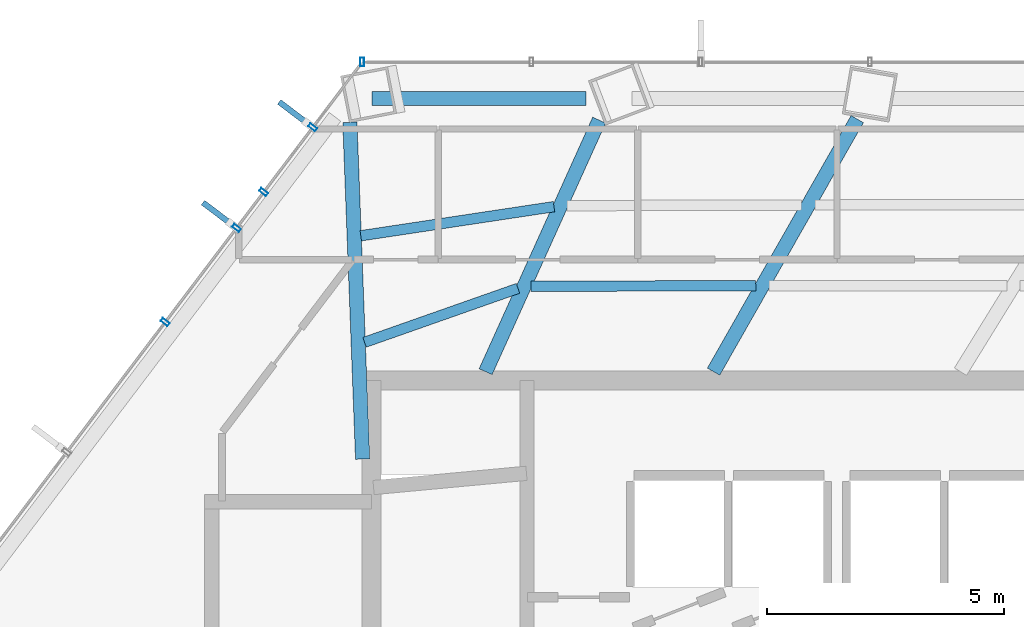
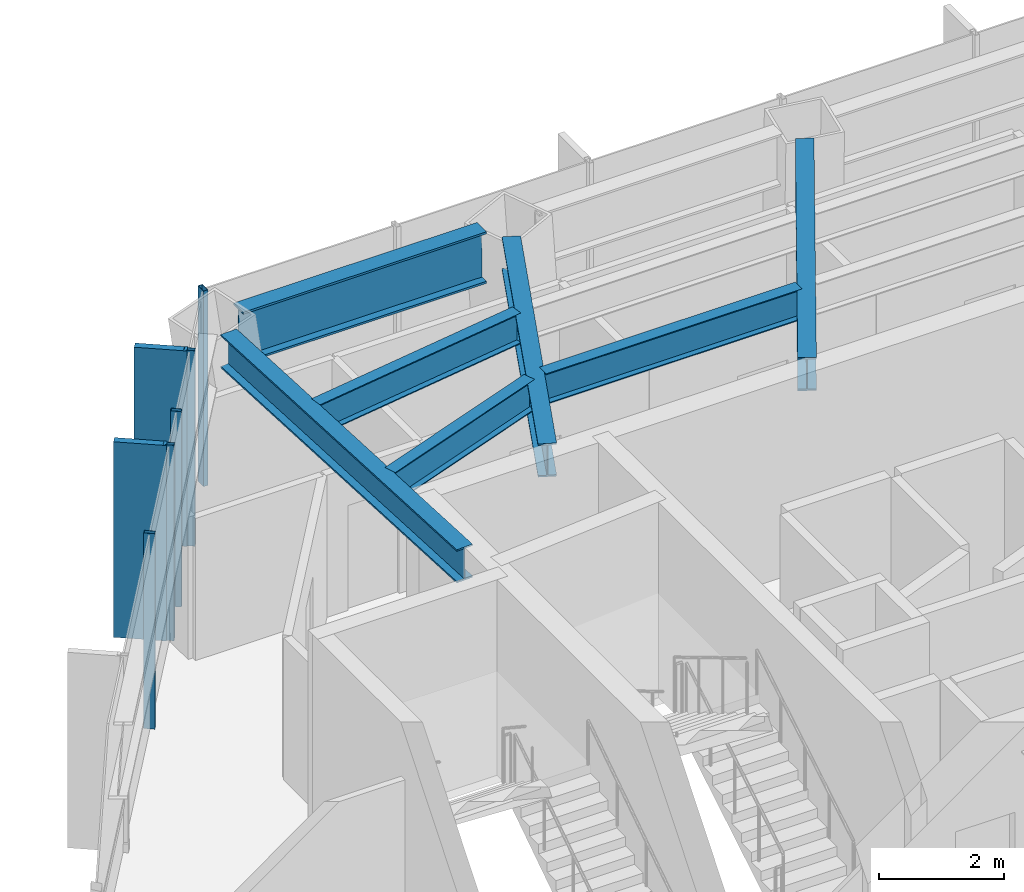
# One storey, part 13 of 26: 7 beams, 7 members, 2 elements without a shape of their own.
"""IFC4 building model written with IfcOpenShell, lengths in metres."""

from ifc_helpers import new_model, si_unit, direction, frame, origin, origin_2d, place, context, subcontext, project, spatial, rectangle, hollow_rectangle, i_section, extrude, material, layer, layer_set, material_profile, profile_set, type_object, element, aggregate, save


model = new_model("IFC4")

# Units and contexts
model_context = context("Model", 3, precision=1e-05, world=origin(), true_north=direction((0.0, 1.0)))
body_context = subcontext(model_context, "Body", "Model", "MODEL_VIEW")
ifc_project = project(units=[si_unit("LENGTHUNIT", "METRE"), si_unit("AREAUNIT", "SQUARE_METRE"), si_unit("VOLUMEUNIT", "CUBIC_METRE"), si_unit("PLANEANGLEUNIT", "RADIAN"), si_unit("MASSUNIT", "GRAM", prefix="KILO")], contexts=[model_context])

# Site, building, storey
site_placement = place(None, origin())
site = spatial("IfcSite", under=ifc_project, at=site_placement, CompositionType="ELEMENT")
building_placement = place(site_placement, origin())
building = spatial("IfcBuilding", under=site, at=building_placement, Name="Zarrinselat Tower", CompositionType="ELEMENT")
storey_placement = place(building_placement, frame((0.0, 0.0, 35.699951171875)))
storey = spatial("IfcBuildingStorey", under=building, at=storey_placement, Name="L08", CompositionType="ELEMENT", Elevation=35.699951171875)

# Beams
ifc_material_1 = material(Name="Steel S355J2", Category="steel")
ifc_material_profile_1 = material_profile(ifc_material_1, i_section(OverallWidth=0.300048828125, OverallDepth=0.64990234375, WebThickness=0.01611328125, FlangeThickness=0.031005859375, at=origin_2d()), Name="HEB 650")
ifc_profile_set_1 = profile_set([ifc_material_profile_1], Name="Steel S355J2")
beam_type_1 = type_object("IfcBeamType", Name="BM-HEB650", PredefinedType="BEAM", material=ifc_profile_set_1)
beam_1_placement = place(storey_placement, frame((35.800048828125, 43.639892578125, 3.4951171875), z_axis=(0.494531005412, 0.869159987969, 0.0), x_axis=(-0.869159987969, 0.494531005412, 0.0)))
element("IfcBeam", 1, at=beam_1_placement, inside=storey, type_object=beam_type_1, Name="L08 Radial Primary Girder RG03", PredefinedType="BEAM", context=body_context, shape_type="SweptSolid", body=[
    extrude(i_section(OverallWidth=0.300048828125, OverallDepth=0.64990234375, WebThickness=0.01611328125, FlangeThickness=0.031005859375, at=origin_2d()), origin(), (0.0, 0.0, 1.0), 6.11865234375),
])
beam_2_placement = place(storey_placement, frame((31.0, 43.639892578125, 3.4951171875), z_axis=(0.411494429737, 0.911412274602, 0.0), x_axis=(-0.911412274602, 0.411494429737, 0.0)))
element("IfcBeam", 2, at=beam_2_placement, inside=storey, type_object=beam_type_1, Name="L08 Radial Primary Girder RG04", PredefinedType="BEAM", context=body_context, shape_type="SweptSolid", body=[
    extrude(i_section(OverallWidth=0.300048828125, OverallDepth=0.64990234375, WebThickness=0.01611328125, FlangeThickness=0.031005859375, at=origin_2d()), origin(), (0.0, 0.0, 1.0), 5.81201171875),
])
beam_3_placement = place(storey_placement, frame((28.14111328125, 48.892822265625, 3.4951171875), z_axis=(0.037870377551, -0.999282659964, 0.0), x_axis=(0.999282659964, 0.037870377551, 0.0)))
element("IfcBeam", 3, at=beam_3_placement, inside=storey, type_object=beam_type_1, Name="L08 Radial Primary Girder RG05", PredefinedType="BEAM", context=body_context, shape_type="SweptSolid", body=[
    extrude(i_section(OverallWidth=0.300048828125, OverallDepth=0.64990234375, WebThickness=0.01611328125, FlangeThickness=0.031005859375, at=origin_2d()), origin(), (0.0, 0.0, 1.0), 7.097900390625),
])
ifc_material_2 = material(Name="Steel S460M", Category="steel")
ifc_material_profile_2 = material_profile(ifc_material_2, i_section(OverallWidth=0.302001953125, OverallDepth=1.008056640625, WebThickness=0.02099609375, FlangeThickness=0.0400390625, at=origin_2d()), Name="HEM 1000")
ifc_profile_set_2 = profile_set([ifc_material_profile_2], Name="Steel S460M")
beam_type_2 = type_object("IfcBeamType", Name="BM-HEM1000", PredefinedType="BEAM", material=ifc_profile_set_2)
beam_4_placement = place(storey_placement, frame((28.610107421875, 49.394287109375, 3.316162109375), z_axis=(1.0, 0.0, 0.0), x_axis=(0.0, 1.0, 0.0)))
element("IfcBeam", 4, at=beam_4_placement, inside=storey, type_object=beam_type_2, Name="L08 Perimeter Spandrel Girder SP04", PredefinedType="BEAM", context=body_context, shape_type="SweptSolid", body=[
    extrude(i_section(OverallWidth=0.302001953125, OverallDepth=1.008056640625, WebThickness=0.02099609375, FlangeThickness=0.0400390625, at=origin_2d()), origin(), (0.0, 0.0, 1.0), 4.5),
])
ifc_material_3 = material(Name="Steel S355J2", Category="steel")
ifc_material_profile_3 = material_profile(ifc_material_3, i_section(OverallWidth=0.219970703125, OverallDepth=0.60009765625, WebThickness=0.011962890625, FlangeThickness=0.01904296875, at=origin_2d()), Name="IPE 600")
ifc_profile_set_3 = profile_set([ifc_material_profile_3], Name="Steel S355J2")
beam_type_3 = type_object("IfcBeamType", Name="BM-IPE600", PredefinedType="JOIST", material=ifc_profile_set_3)
beam_5_placement = place(storey_placement, frame((31.953125, 45.441162109375, 3.52001953125), z_axis=(0.999998958123, 0.00144352069, 0.0), x_axis=(-0.00144352069, 0.999998958123, 0.0)))
element("IfcBeam", 5, at=beam_5_placement, inside=storey, type_object=beam_type_3, Name="L08 Composite Floor Joist 9-2", PredefinedType="JOIST", context=body_context, shape_type="SweptSolid", body=[
    extrude(i_section(OverallWidth=0.219970703125, OverallDepth=0.60009765625, WebThickness=0.011962890625, FlangeThickness=0.01904296875, at=origin_2d()), origin(), (0.0, 0.0, 1.0), 4.735595703125),
])
beam_6_placement = place(storey_placement, frame((28.37109375, 46.502197265625, 3.52001953125), z_axis=(0.988848267317, 0.148926506118, 0.0), x_axis=(-0.148926506118, 0.988848267317, 0.0)))
element("IfcBeam", 6, at=beam_6_placement, inside=storey, type_object=beam_type_3, Name="L08 Composite Floor Joist 10-1", PredefinedType="JOIST", context=body_context, shape_type="SweptSolid", body=[
    extrude(i_section(OverallWidth=0.219970703125, OverallDepth=0.60009765625, WebThickness=0.011962890625, FlangeThickness=0.01904296875, at=origin_2d()), origin(), (0.0, 0.0, 1.0), 4.11474609375),
])
beam_7_placement = place(storey_placement, frame((28.45068359375, 44.258056640625, 3.52001953125), z_axis=(0.943328096954, 0.33186156978, 0.0), x_axis=(-0.33186156978, 0.943328096954, 0.0)))
element("IfcBeam", 7, at=beam_7_placement, inside=storey, type_object=beam_type_3, Name="L08 Composite Floor Joist 10-2", PredefinedType="JOIST", context=body_context, shape_type="SweptSolid", body=[
    extrude(i_section(OverallWidth=0.219970703125, OverallDepth=0.60009765625, WebThickness=0.011962890625, FlangeThickness=0.01904296875, at=origin_2d()), origin(), (0.0, 0.0, 1.0), 3.424560546875),
])

# Curtain wall, member
ifc_material_4 = material(Name="Extruded Aluminium Alloy EN AW-6063 T6", Category="aluminium")
ifc_layer = layer(ifc_material_4, 0.18505859375)
ifc_layer_set = layer_set([ifc_layer], Name="Extruded Aluminium Alloy EN AW-6063 T6")
curtain_wall_type = type_object("IfcCurtainWallType", Name="CWS-OFF", PredefinedType="NOTDEFINED", material=ifc_layer_set)
curtain_wall_1_placement = place(storey_placement, origin())
curtain_wall_1 = element("IfcCurtainWall", 8, at=curtain_wall_1_placement, inside=storey, type_object=curtain_wall_type, Name="L08 Unitised Curtain Wall CW-L08-E01", PredefinedType="NOTDEFINED")
ifc_material_5 = material(Name="Extruded Aluminium Alloy EN AW-6063 T6", Category="aluminium")
ifc_material_profile_4 = material_profile(ifc_material_5, hollow_rectangle(XDim=0.080078125, YDim=0.179931640625, WallThickness=0.0048828125, at=origin_2d()), Name="RHS 180x80x5")
ifc_profile_set_4 = profile_set([ifc_material_profile_4], Name="Extruded Aluminium Alloy EN AW-6063 T6")
member_type_1 = type_object("IfcMemberType", Name="MEM-CW-MUL", PredefinedType="MULLION", material=ifc_profile_set_4)
member_1_placement = place(storey_placement, frame((28.3994140625, 50.1611328125, 0.0), z_axis=(0.0, 0.0, 1.0), x_axis=(-1.0, 0.0, 0.0)))
member_1 = element("IfcMember", 9, at=member_1_placement, type_object=member_type_1, Name="CW-L08-E01 Mullion 7", PredefinedType="MULLION", context=body_context, shape_type="SweptSolid", body=[
    extrude(hollow_rectangle(XDim=0.080078125, YDim=0.179931640625, WallThickness=0.0048828125, at=origin_2d()), origin(), (0.0, 0.0, 1.0), 3.820068359375),
])
aggregate(curtain_wall_1, [member_1])

# Curtain wall, members
curtain_wall_2_placement = place(storey_placement, origin())
curtain_wall_2 = element("IfcCurtainWall", 10, at=curtain_wall_2_placement, inside=storey, type_object=curtain_wall_type, Name="L08 Unitised Curtain Wall CW-L08-E02", PredefinedType="NOTDEFINED")
member_2_placement = place(storey_placement, frame((27.35791015625, 48.786376953125, 0.0), z_axis=(0.0, 0.0, 1.0), x_axis=(-0.603858715485, -0.797091369752, 0.0)))
member_2 = element("IfcMember", 11, at=member_2_placement, type_object=member_type_1, Name="CW-L08-E02 Mullion 1", PredefinedType="MULLION", context=body_context, shape_type="SweptSolid", body=[
    extrude(hollow_rectangle(XDim=0.080078125, YDim=0.179931640625, WallThickness=0.0048828125, at=origin_2d()), origin(), (0.0, 0.0, 1.0), 3.820068359375),
])
member_3_placement = place(storey_placement, frame((26.324951171875, 47.4228515625, 0.0), z_axis=(0.0, 0.0, 1.0), x_axis=(-0.603858715485, -0.797091369752, 0.0)))
member_3 = element("IfcMember", 12, at=member_3_placement, type_object=member_type_1, Name="CW-L08-E02 Mullion 2", PredefinedType="MULLION", context=body_context, shape_type="SweptSolid", body=[
    extrude(hollow_rectangle(XDim=0.080078125, YDim=0.179931640625, WallThickness=0.0048828125, at=origin_2d()), origin(), (0.0, 0.0, 1.0), 3.820068359375),
])
member_4_placement = place(storey_placement, frame((25.752197265625, 46.666748046875, 0.0), z_axis=(0.0, 0.0, 1.0), x_axis=(-0.603858715485, -0.797091369752, 0.0)))
member_4 = element("IfcMember", 13, at=member_4_placement, type_object=member_type_1, Name="CW-L08-E02 Mullion 3", PredefinedType="MULLION", context=body_context, shape_type="SweptSolid", body=[
    extrude(hollow_rectangle(XDim=0.080078125, YDim=0.179931640625, WallThickness=0.0048828125, at=origin_2d()), origin(), (0.0, 0.0, 1.0), 3.820068359375),
])
member_5_placement = place(storey_placement, frame((24.25048828125, 44.6845703125, 0.0), z_axis=(0.0, 0.0, 1.0), x_axis=(-0.603858715485, -0.797091369752, 0.0)))
member_5 = element("IfcMember", 14, at=member_5_placement, type_object=member_type_1, Name="CW-L08-E02 Mullion 4", PredefinedType="MULLION", context=body_context, shape_type="SweptSolid", body=[
    extrude(hollow_rectangle(XDim=0.080078125, YDim=0.179931640625, WallThickness=0.0048828125, at=origin_2d()), origin(), (0.0, 0.0, 1.0), 3.820068359375),
])
ifc_material_6 = material(Name="Honed Cream Travertine Stone", Category="masonry")
ifc_material_profile_5 = material_profile(ifc_material_6, rectangle(XDim=0.1201171875, YDim=0.85009765625, at=origin_2d()), Name="FIN 850x120")
ifc_profile_set_5 = profile_set([ifc_material_profile_5], Name="Honed Cream Travertine Stone")
member_type_2 = type_object("IfcMemberType", Name="MEM-STONE-FIN", PredefinedType="USERDEFINED", material=ifc_profile_set_5)
member_6_placement = place(storey_placement, frame((26.9912109375, 49.064208984375, 0.0), z_axis=(0.0, 0.0, 1.0), x_axis=(0.603858715485, 0.797091369752, 0.0)))
member_6 = element("IfcMember", 15, at=member_6_placement, type_object=member_type_2, Name="L08 Stone Shading Fin CW-L08-E02-01", ObjectType="FIN", PredefinedType="USERDEFINED", context=body_context, shape_type="SweptSolid", body=[
    extrude(rectangle(XDim=0.1201171875, YDim=0.85009765625, at=origin_2d()), origin(), (0.0, 0.0, 1.0), 3.820068359375),
])
member_7_placement = place(storey_placement, frame((25.385498046875, 46.944580078125, 0.0), z_axis=(0.0, 0.0, 1.0), x_axis=(0.603858715485, 0.797091369752, 0.0)))
member_7 = element("IfcMember", 16, at=member_7_placement, type_object=member_type_2, Name="L08 Stone Shading Fin CW-L08-E02-03", ObjectType="FIN", PredefinedType="USERDEFINED", context=body_context, shape_type="SweptSolid", body=[
    extrude(rectangle(XDim=0.1201171875, YDim=0.85009765625, at=origin_2d()), origin(), (0.0, 0.0, 1.0), 3.820068359375),
])
aggregate(curtain_wall_2, [member_2, member_6, member_3, member_4, member_7, member_5])

save(model, "model.ifc")
